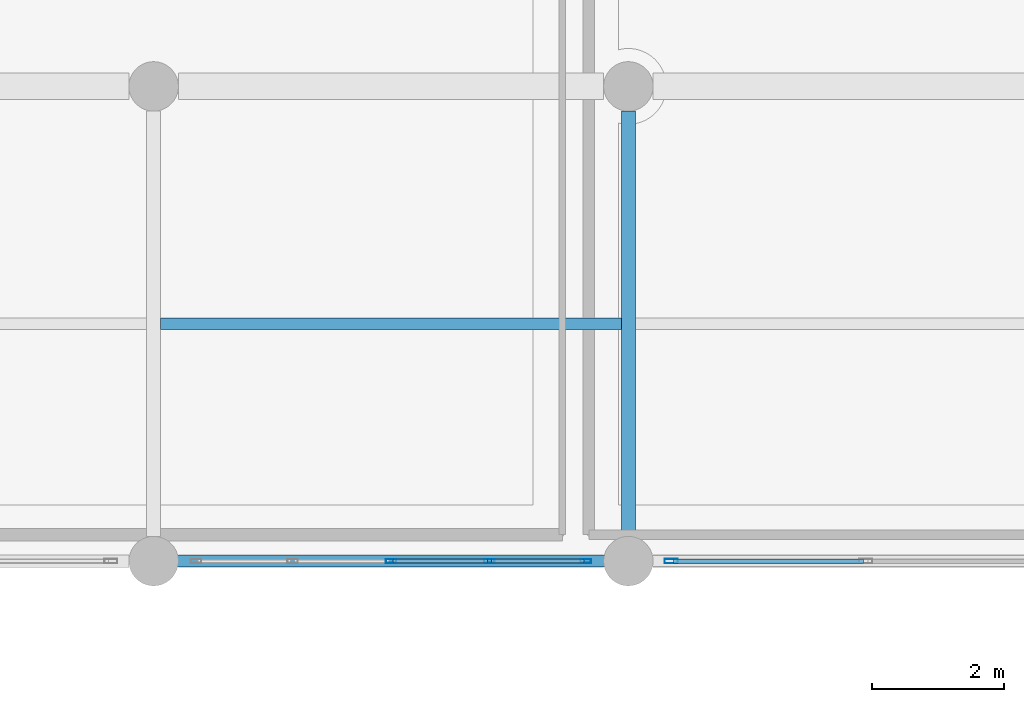
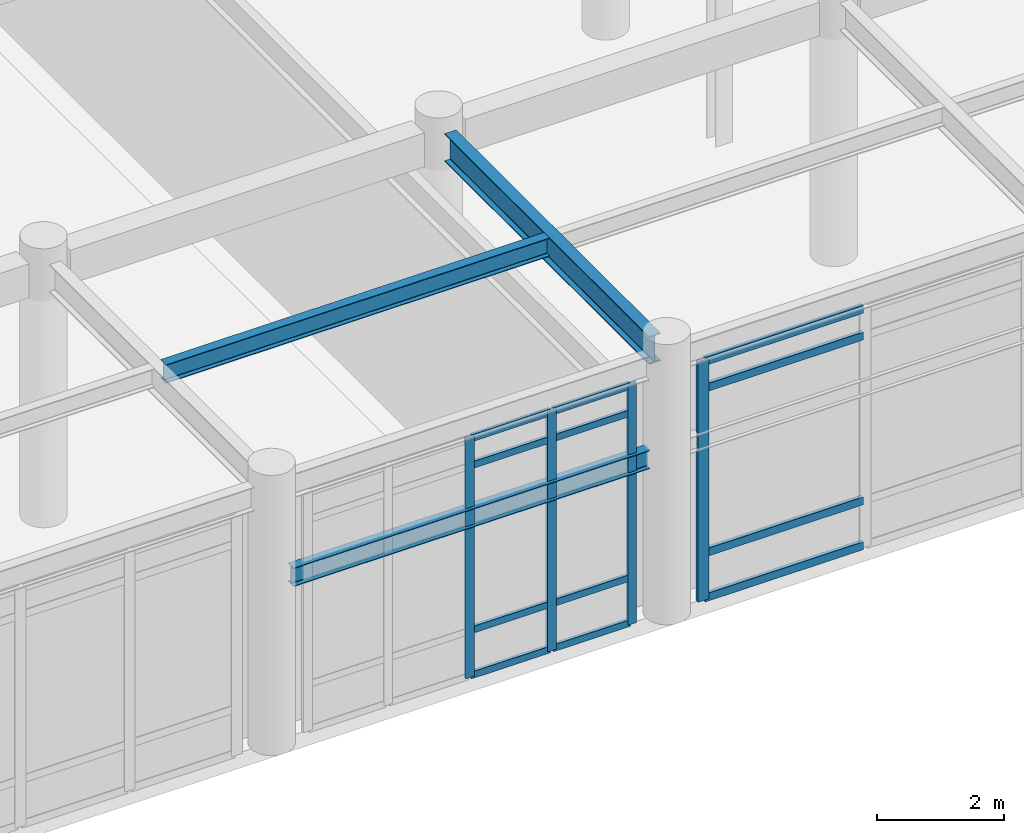
# One storey, part 38 of 102: 16 members, 3 beams, 2 elements without a shape of their own.
"""IFC4 building model written with IfcOpenShell, lengths in metres."""

from ifc_helpers import new_model, si_unit, direction, frame, origin, origin_2d, place, context, subcontext, project, spatial, hollow_rectangle, i_section, extrude, material, layer, layer_set, material_profile, profile_set, type_object, element, aggregate, save


model = new_model("IFC4")

# Units and contexts
model_context = context("Model", 3, precision=1e-05, world=origin(), true_north=direction((0.0, 1.0)))
body_context = subcontext(model_context, "Body", "Model", "MODEL_VIEW")
ifc_project = project(units=[si_unit("LENGTHUNIT", "METRE"), si_unit("AREAUNIT", "SQUARE_METRE"), si_unit("VOLUMEUNIT", "CUBIC_METRE"), si_unit("PLANEANGLEUNIT", "RADIAN"), si_unit("MASSUNIT", "GRAM", prefix="KILO")], contexts=[model_context])

# Site, building, storey
site_placement = place(None, origin())
site = spatial("IfcSite", under=ifc_project, at=site_placement, CompositionType="ELEMENT")
building_placement = place(site_placement, origin())
building = spatial("IfcBuilding", under=site, at=building_placement, Name="Carrowvane Square Congress Hotel", CompositionType="ELEMENT")
storey_placement = place(building_placement, origin())
storey = spatial("IfcBuildingStorey", under=building, at=storey_placement, Name="L00", CompositionType="ELEMENT", Elevation=0.0)

# Beams
ifc_material_1 = material(Name="Steel S355", Category="steel")
ifc_material_profile_1 = material_profile(ifc_material_1, i_section(OverallWidth=0.172119140625, OverallDepth=0.35791015625, WebThickness=0.008056640625, FlangeThickness=0.012939453125, FilletRadius=0.01025390625, at=origin_2d()), Name="UKB 356x171x57")
ifc_profile_set_1 = profile_set([ifc_material_profile_1], Name="Steel S355")
beam_type_1 = type_object("IfcBeamType", Name="BM-LNT-2", PredefinedType="LINTEL", material=ifc_profile_set_1)
beam_1_placement = place(storey_placement, frame((105.550048828125, 70.199951171875, 3.10009765625), z_axis=(1.0, 0.0, 0.0), x_axis=(0.0, 1.0, 0.0)))
element("IfcBeam", 1, at=beam_1_placement, inside=storey, type_object=beam_type_1, Name="L00 passage portal steel lintel 4", PredefinedType="LINTEL", context=body_context, shape_type="SweptSolid", body=[
    extrude(i_section(OverallWidth=0.172119140625, OverallDepth=0.35791015625, WebThickness=0.008056640625, FlangeThickness=0.012939453125, FilletRadius=0.01025390625, at=origin_2d()), origin(), (0.0, 0.0, 1.0), 6.5),
])
ifc_material_2 = material(Name="Steel S355", Category="steel")
ifc_material_profile_2 = material_profile(ifc_material_2, i_section(OverallWidth=0.172119140625, OverallDepth=0.35791015625, WebThickness=0.008056640625, FlangeThickness=0.012939453125, FilletRadius=0.01025390625, at=origin_2d()), Name="UKB 356x171x57")
ifc_profile_set_2 = profile_set([ifc_material_profile_2], Name="Steel S355")
beam_type_2 = type_object("IfcBeamType", Name="BM-ST-UKB356", PredefinedType="JOIST", material=ifc_profile_set_2)
beam_2_placement = place(storey_placement, frame((105.304931640625, 73.800048828125, 4.9208984375), z_axis=(1.0, 0.0, 0.0), x_axis=(0.0, 1.0, 0.0)))
element("IfcBeam", 2, at=beam_2_placement, inside=storey, type_object=beam_type_2, Name="L01 secondary joist 14-15", PredefinedType="JOIST", context=body_context, shape_type="SweptSolid", body=[
    extrude(i_section(OverallWidth=0.172119140625, OverallDepth=0.35791015625, WebThickness=0.008056640625, FlangeThickness=0.012939453125, FilletRadius=0.01025390625, at=origin_2d()), origin(), (0.0, 0.0, 1.0), 6.989990234375),
])
ifc_material_3 = material(Name="Steel S355", Category="steel")
ifc_material_profile_3 = material_profile(ifc_material_3, i_section(OverallWidth=0.2099609375, OverallDepth=0.53662109375, WebThickness=0.0107421875, FlangeThickness=0.017333984375, FilletRadius=0.0126953125, at=origin_2d()), Name="UKB 533x210x101")
ifc_profile_set_3 = profile_set([ifc_material_profile_3], Name="Steel S355")
beam_type_3 = type_object("IfcBeamType", Name="BM-ST-UKB533", PredefinedType="USERDEFINED", material=ifc_profile_set_3)
beam_3_placement = place(storey_placement, frame((112.39990234375, 70.574951171875, 4.83154296875), z_axis=(0.0, 1.0, 0.0), x_axis=(-1.0, 0.0, 0.0)))
element("IfcBeam", 3, at=beam_3_placement, inside=storey, type_object=beam_type_3, Name="L01 girder 15/K-L", ObjectType="GIRDER", PredefinedType="USERDEFINED", context=body_context, shape_type="SweptSolid", body=[
    extrude(i_section(OverallWidth=0.2099609375, OverallDepth=0.53662109375, WebThickness=0.0107421875, FlangeThickness=0.017333984375, FilletRadius=0.0126953125, at=origin_2d()), origin(), (0.0, 0.0, 1.0), 6.449951171875),
])

# Curtain wall, members
ifc_material_4 = material(Name="Anodised aluminium", Category="aluminium")
ifc_layer_1 = layer(ifc_material_4, 0.2099609375)
ifc_layer_set_1 = layer_set([ifc_layer_1], Name="Anodised aluminium")
curtain_wall_type_1 = type_object("IfcCurtainWallType", Name="CW-SYS-5", PredefinedType="NOTDEFINED", material=ifc_layer_set_1)
curtain_wall_1_placement = place(storey_placement, origin())
curtain_wall_1 = element("IfcCurtainWall", 4, at=curtain_wall_1_placement, inside=storey, type_object=curtain_wall_type_1, Name="L00 unitised curtain wall 52", PredefinedType="NOTDEFINED")
ifc_material_5 = material(Name="Anodised aluminium", Category="aluminium")
ifc_material_profile_4 = material_profile(ifc_material_5, hollow_rectangle(XDim=0.06005859375, YDim=0.159912109375, WallThickness=0.00390625, at=origin_2d()), Name="CW-ML 60x160x4")
ifc_profile_set_4 = profile_set([ifc_material_profile_4], Name="Anodised aluminium")
member_type_1 = type_object("IfcMemberType", Name="CW-MUL-1", PredefinedType="MULLION", material=ifc_profile_set_4)
member_1_placement = place(storey_placement, frame((111.7548828125, 70.199951171875, 0.0), z_axis=(0.0, 0.0, 1.0), x_axis=(0.0, -1.0, 0.0)))
member_1 = element("IfcMember", 5, at=member_1_placement, type_object=member_type_1, Name="CW-5 mullion 1", PredefinedType="MULLION", context=body_context, shape_type="SweptSolid", body=[
    extrude(hollow_rectangle(XDim=0.06005859375, YDim=0.159912109375, WallThickness=0.00390625, at=origin_2d()), origin(), (0.0, 0.0, 1.0), 4.625),
])
member_2_placement = place(storey_placement, frame((110.29248046875, 70.199951171875, 0.0), z_axis=(0.0, 0.0, 1.0), x_axis=(0.0, -1.0, 0.0)))
member_2 = element("IfcMember", 6, at=member_2_placement, type_object=member_type_1, Name="CW-5 mullion 2", PredefinedType="MULLION", context=body_context, shape_type="SweptSolid", body=[
    extrude(hollow_rectangle(XDim=0.06005859375, YDim=0.159912109375, WallThickness=0.00390625, at=origin_2d()), origin(), (0.0, 0.0, 1.0), 4.625),
])
member_3_placement = place(storey_placement, frame((108.800048828125, 70.199951171875, 0.0), z_axis=(0.0, 0.0, 1.0), x_axis=(0.0, -1.0, 0.0)))
member_3 = element("IfcMember", 7, at=member_3_placement, type_object=member_type_1, Name="CW-5 mullion 3", PredefinedType="MULLION", context=body_context, shape_type="SweptSolid", body=[
    extrude(hollow_rectangle(XDim=0.06005859375, YDim=0.159912109375, WallThickness=0.00390625, at=origin_2d()), origin(), (0.0, 0.0, 1.0), 4.625),
])

# Curtain wall, member
ifc_material_6 = material(Name="Anodised aluminium", Category="aluminium")
ifc_layer_2 = layer(ifc_material_6, 0.197998046875)
ifc_layer_set_2 = layer_set([ifc_layer_2], Name="Anodised aluminium")
curtain_wall_type_2 = type_object("IfcCurtainWallType", Name="CW-SYS-4", PredefinedType="NOTDEFINED", material=ifc_layer_set_2)
curtain_wall_2_placement = place(storey_placement, origin())
curtain_wall_2 = element("IfcCurtainWall", 8, at=curtain_wall_2_placement, inside=storey, type_object=curtain_wall_type_2, Name="L00 unitised curtain wall 51", PredefinedType="NOTDEFINED")
ifc_material_7 = material(Name="Anodised aluminium", Category="aluminium")
ifc_material_profile_5 = material_profile(ifc_material_7, hollow_rectangle(XDim=0.070068359375, YDim=0.199951171875, WallThickness=0.0048828125, at=origin_2d()), Name="CW-ML 70x200x5")
ifc_profile_set_5 = profile_set([ifc_material_profile_5], Name="Anodised aluminium")
member_type_2 = type_object("IfcMemberType", Name="CW-MUL-2", PredefinedType="MULLION", material=ifc_profile_set_5)
member_4_placement = place(storey_placement, frame((113.050048828125, 70.199951171875, 0.0), z_axis=(0.0, 0.0, 1.0), x_axis=(0.0, -1.0, 0.0)))
member_4 = element("IfcMember", 9, at=member_4_placement, type_object=member_type_2, Name="CW-4 mullion 3", PredefinedType="MULLION", context=body_context, shape_type="SweptSolid", body=[
    extrude(hollow_rectangle(XDim=0.070068359375, YDim=0.199951171875, WallThickness=0.0048828125, at=origin_2d()), origin(), (0.0, 0.0, 1.0), 4.625),
])

# Member
ifc_material_8 = material(Name="Anodised aluminium", Category="aluminium")
ifc_material_profile_6 = material_profile(ifc_material_8, hollow_rectangle(XDim=0.06005859375, YDim=0.1298828125, WallThickness=0.00390625, at=origin_2d()), Name="CW-TR 60x130x4")
ifc_profile_set_6 = profile_set([ifc_material_profile_6], Name="Anodised aluminium")
member_type_3 = type_object("IfcMemberType", Name="CW-TRN-1", PredefinedType="USERDEFINED", material=ifc_profile_set_6)
member_5_placement = place(storey_placement, frame((111.72509765625, 70.199951171875, 0.030029296875), z_axis=(-1.0, 0.0, 0.0), x_axis=(0.0, -1.0, 0.0)))
member_5 = element("IfcMember", 10, at=member_5_placement, type_object=member_type_3, Name="CW-5 transom 1.1", ObjectType="TRANSOM", PredefinedType="USERDEFINED", context=body_context, shape_type="SweptSolid", body=[
    extrude(hollow_rectangle(XDim=0.06005859375, YDim=0.1298828125, WallThickness=0.00390625, at=origin_2d()), origin(), (0.0, 0.0, 1.0), 1.402587890625),
])

member_6_placement = place(storey_placement, frame((111.72509765625, 70.199951171875, 0.89990234375), z_axis=(-1.0, 0.0, 0.0), x_axis=(0.0, -1.0, 0.0)))
member_6 = element("IfcMember", 11, at=member_6_placement, type_object=member_type_3, Name="CW-5 transom 1.2", ObjectType="TRANSOM", PredefinedType="USERDEFINED", context=body_context, shape_type="SweptSolid", body=[
    extrude(hollow_rectangle(XDim=0.06005859375, YDim=0.1298828125, WallThickness=0.00390625, at=origin_2d()), origin(), (0.0, 0.0, 1.0), 1.402587890625),
])

member_7_placement = place(storey_placement, frame((111.72509765625, 70.199951171875, 4.074951171875), z_axis=(-1.0, 0.0, 0.0), x_axis=(0.0, -1.0, 0.0)))
member_7 = element("IfcMember", 12, at=member_7_placement, type_object=member_type_3, Name="CW-5 transom 1.3", ObjectType="TRANSOM", PredefinedType="USERDEFINED", context=body_context, shape_type="SweptSolid", body=[
    extrude(hollow_rectangle(XDim=0.06005859375, YDim=0.1298828125, WallThickness=0.00390625, at=origin_2d()), origin(), (0.0, 0.0, 1.0), 1.402587890625),
])

member_8_placement = place(storey_placement, frame((111.72509765625, 70.199951171875, 4.594970703125), z_axis=(-1.0, 0.0, 0.0), x_axis=(0.0, -1.0, 0.0)))
member_8 = element("IfcMember", 13, at=member_8_placement, type_object=member_type_3, Name="CW-5 transom 1.4", ObjectType="TRANSOM", PredefinedType="USERDEFINED", context=body_context, shape_type="SweptSolid", body=[
    extrude(hollow_rectangle(XDim=0.06005859375, YDim=0.1298828125, WallThickness=0.00390625, at=origin_2d()), origin(), (0.0, 0.0, 1.0), 1.402587890625),
])

member_9_placement = place(storey_placement, frame((110.262451171875, 70.199951171875, 0.030029296875), z_axis=(-1.0, 0.0, 0.0), x_axis=(0.0, -1.0, 0.0)))
member_9 = element("IfcMember", 14, at=member_9_placement, type_object=member_type_3, Name="CW-5 transom 2.1", ObjectType="TRANSOM", PredefinedType="USERDEFINED", context=body_context, shape_type="SweptSolid", body=[
    extrude(hollow_rectangle(XDim=0.06005859375, YDim=0.1298828125, WallThickness=0.00390625, at=origin_2d()), origin(), (0.0, 0.0, 1.0), 1.432373046875),
])

member_10_placement = place(storey_placement, frame((110.262451171875, 70.199951171875, 0.89990234375), z_axis=(-1.0, 0.0, 0.0), x_axis=(0.0, -1.0, 0.0)))
member_10 = element("IfcMember", 15, at=member_10_placement, type_object=member_type_3, Name="CW-5 transom 2.2", ObjectType="TRANSOM", PredefinedType="USERDEFINED", context=body_context, shape_type="SweptSolid", body=[
    extrude(hollow_rectangle(XDim=0.06005859375, YDim=0.1298828125, WallThickness=0.00390625, at=origin_2d()), origin(), (0.0, 0.0, 1.0), 1.432373046875),
])

member_11_placement = place(storey_placement, frame((110.262451171875, 70.199951171875, 4.074951171875), z_axis=(-1.0, 0.0, 0.0), x_axis=(0.0, -1.0, 0.0)))
member_11 = element("IfcMember", 16, at=member_11_placement, type_object=member_type_3, Name="CW-5 transom 2.3", ObjectType="TRANSOM", PredefinedType="USERDEFINED", context=body_context, shape_type="SweptSolid", body=[
    extrude(hollow_rectangle(XDim=0.06005859375, YDim=0.1298828125, WallThickness=0.00390625, at=origin_2d()), origin(), (0.0, 0.0, 1.0), 1.432373046875),
])

member_12_placement = place(storey_placement, frame((110.262451171875, 70.199951171875, 4.594970703125), z_axis=(-1.0, 0.0, 0.0), x_axis=(0.0, -1.0, 0.0)))
member_12 = element("IfcMember", 17, at=member_12_placement, type_object=member_type_3, Name="CW-5 transom 2.4", ObjectType="TRANSOM", PredefinedType="USERDEFINED", context=body_context, shape_type="SweptSolid", body=[
    extrude(hollow_rectangle(XDim=0.06005859375, YDim=0.1298828125, WallThickness=0.00390625, at=origin_2d()), origin(), (0.0, 0.0, 1.0), 1.432373046875),
])

aggregate(curtain_wall_1, [member_1, member_2, member_3, member_5, member_6, member_7, member_8, member_9, member_10, member_11, member_12])

ifc_material_9 = material(Name="Anodised aluminium", Category="aluminium")
ifc_material_profile_7 = material_profile(ifc_material_9, hollow_rectangle(XDim=0.070068359375, YDim=0.14990234375, WallThickness=0.0048828125, at=origin_2d()), Name="CW-TR 70x150x5")
ifc_profile_set_7 = profile_set([ifc_material_profile_7], Name="Anodised aluminium")
member_type_4 = type_object("IfcMemberType", Name="CW-TRN-2", PredefinedType="USERDEFINED", material=ifc_profile_set_7)
member_13_placement = place(storey_placement, frame((115.965087890625, 70.199951171875, 0.034912109375), z_axis=(-1.0, 0.0, 0.0), x_axis=(0.0, -1.0, 0.0)))
member_13 = element("IfcMember", 18, at=member_13_placement, type_object=member_type_4, Name="CW-4 transom 2.1", ObjectType="TRANSOM", PredefinedType="USERDEFINED", context=body_context, shape_type="SweptSolid", body=[
    extrude(hollow_rectangle(XDim=0.070068359375, YDim=0.14990234375, WallThickness=0.0048828125, at=origin_2d()), origin(), (0.0, 0.0, 1.0), 2.880126953125),
])

member_14_placement = place(storey_placement, frame((115.965087890625, 70.199951171875, 0.89990234375), z_axis=(-1.0, 0.0, 0.0), x_axis=(0.0, -1.0, 0.0)))
member_14 = element("IfcMember", 19, at=member_14_placement, type_object=member_type_4, Name="CW-4 transom 2.2", ObjectType="TRANSOM", PredefinedType="USERDEFINED", context=body_context, shape_type="SweptSolid", body=[
    extrude(hollow_rectangle(XDim=0.070068359375, YDim=0.14990234375, WallThickness=0.0048828125, at=origin_2d()), origin(), (0.0, 0.0, 1.0), 2.880126953125),
])

member_15_placement = place(storey_placement, frame((115.965087890625, 70.199951171875, 4.074951171875), z_axis=(-1.0, 0.0, 0.0), x_axis=(0.0, -1.0, 0.0)))
member_15 = element("IfcMember", 20, at=member_15_placement, type_object=member_type_4, Name="CW-4 transom 2.3", ObjectType="TRANSOM", PredefinedType="USERDEFINED", context=body_context, shape_type="SweptSolid", body=[
    extrude(hollow_rectangle(XDim=0.070068359375, YDim=0.14990234375, WallThickness=0.0048828125, at=origin_2d()), origin(), (0.0, 0.0, 1.0), 2.880126953125),
])

member_16_placement = place(storey_placement, frame((115.965087890625, 70.199951171875, 4.590087890625), z_axis=(-1.0, 0.0, 0.0), x_axis=(0.0, -1.0, 0.0)))
member_16 = element("IfcMember", 21, at=member_16_placement, type_object=member_type_4, Name="CW-4 transom 2.4", ObjectType="TRANSOM", PredefinedType="USERDEFINED", context=body_context, shape_type="SweptSolid", body=[
    extrude(hollow_rectangle(XDim=0.070068359375, YDim=0.14990234375, WallThickness=0.0048828125, at=origin_2d()), origin(), (0.0, 0.0, 1.0), 2.880126953125),
])

aggregate(curtain_wall_2, [member_4, member_13, member_14, member_15, member_16])

save(model, "model.ifc")
